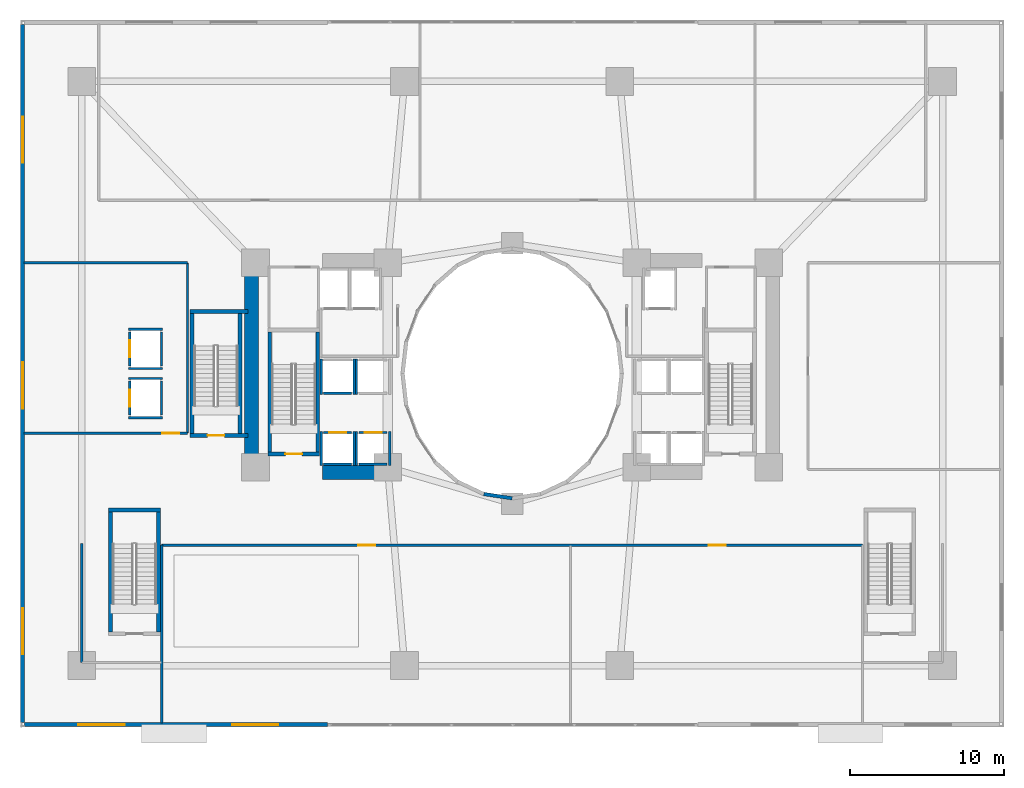
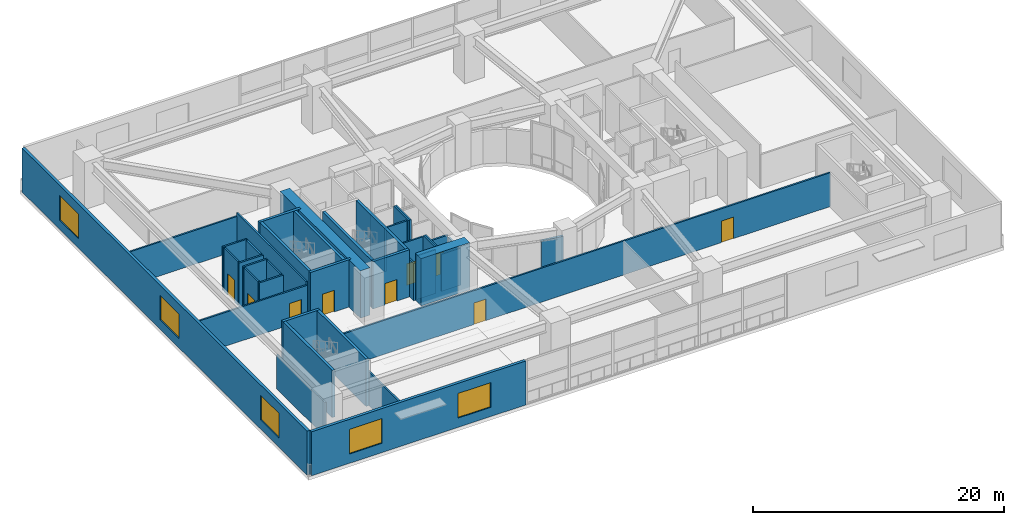
# One storey, part 15 of 25: 41 walls, 9 doors, 5 windows, 14 openings.
"""IFC4 building model written with IfcOpenShell, lengths in metres."""

import ifcopenshell
import ifcopenshell.guid

model = None  # the IFC model being written
_history = None  # IfcOwnerHistory: only IFC2X3 demands one
_inside = {}  # id of a spatial element -> (the spatial element, [elements in it])
_under = {}  # id of a project, library or spatial element -> (it, [spatial elements below it])
_declared = {}  # id of a project -> (the project, [libraries it declares])
_typed = {}  # id of a type object -> (the type object, [elements of that type])
_made_of = {}  # id of a material, layer set ... -> (it, [elements and type objects made of it])


def new_model(schema):
    """Start an empty IFC model of exactly this schema.

    Asked for "IFC4X3", IfcOpenShell would pick the latest addendum, in which some entities
    have other attributes; the version numbers below select the first issue.
    IFC2X3 requires an IfcOwnerHistory on every rooted entity: one is made here for all.
    """
    global model, _history
    if schema == "IFC4X3":
        model = ifcopenshell.file(schema_version=(4, 3, 0, 0))
    else:
        model = ifcopenshell.file(schema=schema)
    _inside.clear()
    _under.clear()
    _declared.clear()
    _typed.clear()
    _made_of.clear()
    _history = None
    if model.schema == "IFC2X3":
        org = make("IfcOrganization", Name="unknown")
        user = make(
            "IfcPersonAndOrganization",
            ThePerson=make("IfcPerson", FamilyName="unknown"),
            TheOrganization=org,
        )
        app = make(
            "IfcApplication",
            ApplicationDeveloper=org,
            Version="unknown",
            ApplicationFullName="unknown",
            ApplicationIdentifier="unknown",
        )
        _history = make(
            "IfcOwnerHistory",
            OwningUser=user,
            OwningApplication=app,
            ChangeAction="ADDED",
            CreationDate=0,
        )
    return model


def make(cls, **values):
    """One entity of the class cls with the attributes given. An attribute that is None is left unset."""
    return model.create_entity(
        cls, **{name: value for name, value in values.items() if value is not None}
    )


def rooted(cls, **values):
    """An entity with a GlobalId (a new one), such as an element, a storey or a relation."""
    return make(cls, GlobalId=ifcopenshell.guid.new(), OwnerHistory=_history, **values)


def si_unit(unit_type, name, prefix=None):
    """IfcSIUnit, for example si_unit("LENGTHUNIT", "METRE", prefix="MILLI")."""
    return make("IfcSIUnit", UnitType=unit_type, Prefix=prefix, Name=name)


def assignment(units):
    """IfcUnitAssignment: the units of a project."""
    return None if units is None else make("IfcUnitAssignment", Units=units)


def point(xyz):
    """IfcCartesianPoint."""
    return None if xyz is None else make("IfcCartesianPoint", Coordinates=xyz)


def direction(xyz):
    """IfcDirection."""
    return None if xyz is None else make("IfcDirection", DirectionRatios=xyz)


def frame(location, z_axis=None, x_axis=None):
    """IfcAxis2Placement3D, a coordinate frame: its origin and axes. An axis left out is left unset."""
    return make(
        "IfcAxis2Placement3D",
        Location=point(location),
        Axis=direction(z_axis),
        RefDirection=direction(x_axis),
    )


def frame_2d(location, x_axis=None):
    """IfcAxis2Placement2D, a coordinate frame in the plane: its origin and x axis."""
    return make(
        "IfcAxis2Placement2D", Location=point(location), RefDirection=direction(x_axis)
    )


def origin():
    """The frame at (0, 0, 0) with its axes left unset."""
    return frame((0.0, 0.0, 0.0))


def place(relative_to, where):
    """IfcLocalPlacement: puts the frame where relative to a parent placement (None: the world)."""
    return make(
        "IfcLocalPlacement", PlacementRelTo=relative_to, RelativePlacement=where
    )


def context(
    kind, dimensions, precision=None, world=None, true_north=None, identifier=None
):
    """IfcGeometricRepresentationContext, for example the 3D "Model" context."""
    return make(
        "IfcGeometricRepresentationContext",
        ContextIdentifier=identifier,
        ContextType=kind,
        CoordinateSpaceDimension=dimensions,
        Precision=precision,
        WorldCoordinateSystem=world,
        TrueNorth=true_north,
    )


def subcontext(parent, identifier, kind, view, scale=None):
    """IfcGeometricRepresentationSubContext, for example "Body" below "Model"."""
    return make(
        "IfcGeometricRepresentationSubContext",
        ContextIdentifier=identifier,
        ContextType=kind,
        ParentContext=parent,
        TargetScale=scale,
        TargetView=view,
    )


def project(units=None, contexts=None):
    """IfcProject with its units and contexts."""
    return rooted(
        "IfcProject",
        Name="project",
        RepresentationContexts=contexts,
        UnitsInContext=assignment(units),
    )


def spatial(cls, under=None, at=None, **own):
    """A site, building, storey or space (cls), placed at a placement, below another one or the project."""
    s = rooted(cls, ObjectPlacement=at, **own)
    if under is not None:
        _under.setdefault(under.id(), (under, []))[1].append(s)
    return s


def profile(cls, at=None, kind="AREA", **sizes):
    """A parametric profile (cls). Its sizes go by their IFC names, for example OverallWidth=200.0."""
    return make(cls, ProfileType=kind, Position=at, **sizes)


def rectangle(**sizes):
    """IfcRectangleProfileDef."""
    return profile("IfcRectangleProfileDef", **sizes)


def extrude(swept, where, along, depth):
    """IfcExtrudedAreaSolid: the profile swept, set in the frame where, extruded along a direction by depth."""
    return make(
        "IfcExtrudedAreaSolid",
        SweptArea=swept,
        Position=where,
        ExtrudedDirection=direction(along),
        Depth=depth,
    )


def shape(context_of_items, identifier, shape_type, items):
    """IfcShapeRepresentation: the items that make up one representation, for example the "Body"."""
    return make(
        "IfcShapeRepresentation",
        ContextOfItems=context_of_items,
        RepresentationIdentifier=identifier,
        RepresentationType=shape_type,
        Items=items,
    )


def material(Name=None, Category=None):
    """IfcMaterial."""
    return make("IfcMaterial", Name=Name, Category=Category)


def layer(
    of_material, thickness, ventilated=None, Name=None, Category=None, Priority=None
):
    """IfcMaterialLayer: one layer of a wall or slab, of a material (None: an air gap)."""
    return make(
        "IfcMaterialLayer",
        Material=of_material,
        LayerThickness=thickness,
        IsVentilated=ventilated,
        Name=Name,
        Category=Category,
        Priority=Priority,
    )


def layer_set(layers, Name=None):
    """IfcMaterialLayerSet."""
    return make("IfcMaterialLayerSet", MaterialLayers=layers, LayerSetName=Name)


def made_of(thing, what):
    """Note that an element or type object is made of a material, layer set ...; save() writes the relation."""
    if what is not None:
        _made_of.setdefault(what.id(), (what, []))[1].append(thing)
    return thing


def type_object(cls, material=None, **own):
    """A type object (cls), such as IfcWallType, which elements share."""
    return made_of(rooted(cls, **own), material)


def element(
    cls,
    number,
    at=None,
    inside=None,
    cuts=None,
    type_object=None,
    material=None,
    context=None,
    identifier="Body",
    shape_type=None,
    held_by="IfcProductDefinitionShape",
    body=None,
    shapes=None,
    **own,
):
    """One element of the class cls, such as IfcWall. Its Tag is "e" and its number.

    at: its placement. inside: the storey or other place that contains it. cuts: it is an
    opening in that element (IfcRelVoidsElement). A single representation is given by context,
    identifier, shape_type and body (its items); several are given by shapes. held_by: the class
    of the entity that holds the representations. save() writes the other relations.
    """
    e = rooted(cls, Tag="e%d" % number, ObjectPlacement=at, **own)
    if body is not None:
        shapes = [shape(context, identifier, shape_type, body)]
    if shapes is not None:
        e.Representation = make(held_by, Representations=shapes)
    if inside is not None:
        _inside.setdefault(inside.id(), (inside, []))[1].append(e)
    if cuts is not None:
        rooted(
            "IfcRelVoidsElement", RelatingBuildingElement=cuts, RelatedOpeningElement=e
        )
    if type_object is not None:
        _typed.setdefault(type_object.id(), (type_object, []))[1].append(e)
    return made_of(e, material)


def fill(opening, filler):
    """IfcRelFillsElement: the door or window that sits in an opening."""
    return rooted(
        "IfcRelFillsElement",
        RelatingOpeningElement=opening,
        RelatedBuildingElement=filler,
    )


def aggregate(whole, parts):
    """IfcRelAggregates: a whole, such as a stair, and the parts it consists of."""
    return rooted("IfcRelAggregates", RelatingObject=whole, RelatedObjects=parts)


def save(model, path):
    """Write the relations noted so far, then the file.

    IfcRelAggregates (storeys below a building ...), IfcRelContainedInSpatialStructure (elements
    in a storey), IfcRelDefinesByType, IfcRelAssociatesMaterial and IfcRelDeclares: one each for
    every whole, place, type object, material and project.
    """
    for whole, parts in _under.values():
        aggregate(whole, parts)
    for where, things in _inside.values():
        rooted(
            "IfcRelContainedInSpatialStructure",
            RelatedElements=things,
            RelatingStructure=where,
        )
    for kind, things in _typed.values():
        rooted("IfcRelDefinesByType", RelatedObjects=things, RelatingType=kind)
    for what, things in _made_of.values():
        rooted("IfcRelAssociatesMaterial", RelatedObjects=things, RelatingMaterial=what)
    for by, libraries in _declared.values():
        rooted("IfcRelDeclares", RelatingContext=by, RelatedDefinitions=libraries)
    model.write(path)


model = new_model("IFC4")

# Units and contexts
model_context = context("Model", 3, precision=1e-05, world=origin(), true_north=direction((0.0, 1.0)))
body_context = subcontext(model_context, "Body", "Model", "MODEL_VIEW")
ifc_project = project(units=[si_unit("LENGTHUNIT", "METRE"), si_unit("AREAUNIT", "SQUARE_METRE"), si_unit("VOLUMEUNIT", "CUBIC_METRE"), si_unit("PLANEANGLEUNIT", "RADIAN"), si_unit("MASSUNIT", "GRAM", prefix="KILO")], contexts=[model_context])

# Site, building, storey
site_placement = place(None, origin())
site = spatial("IfcSite", under=ifc_project, at=site_placement, CompositionType="ELEMENT")
building_placement = place(site_placement, origin())
building = spatial("IfcBuilding", under=site, at=building_placement, Name="Solvane Sanctuary Tower", CompositionType="ELEMENT")
storey_placement = place(building_placement, frame((0.0, 0.0, 4.60009765625)))
storey = spatial("IfcBuildingStorey", under=building, at=storey_placement, Name="L02", CompositionType="ELEMENT", Elevation=4.60009765625)

# Walls
ifc_material_1 = material(Name="Concrete C70/85", Category="concrete")
ifc_layer_1 = layer(ifc_material_1, 0.89990234375, Name="Concrete C70/85")
ifc_layer_set_1 = layer_set([ifc_layer_1], Name="Concrete C70/85")
wall_type_1 = type_object("IfcWallType", Name="Wall W-CORE-900", PredefinedType="SHEAR", material=ifc_layer_set_1)
wall_1_placement = place(storey_placement, frame((15.050048828125, 17.050048828125, 0.0), z_axis=(0.0, 0.0, 1.0), x_axis=(0.0, 1.0, 0.0)))
element("IfcWall", 1, at=wall_1_placement, inside=storey, type_object=wall_type_1, Name="L02 Core Shear Wall WC-W", PredefinedType="SHEAR", context=body_context, shape_type="SweptSolid", body=[
    extrude(rectangle(XDim=12.800048828125, YDim=0.89990234375, at=frame_2d((6.39990234375, 0.0))), origin(), (0.0, 0.0, 1.0), 4.599853515625),
])
wall_2_placement = place(storey_placement, frame((19.64990234375, 16.550048828125, 0.0), z_axis=(0.0, 0.0, 1.0), x_axis=(1.0, 0.0, 0.0)))
element("IfcWall", 2, at=wall_2_placement, inside=storey, type_object=wall_type_1, Name="L02 Core Shear Wall WC-S", PredefinedType="SHEAR", context=body_context, shape_type="SweptSolid", body=[
    extrude(rectangle(XDim=4.5, YDim=0.89990234375, at=frame_2d((2.25, 0.0))), origin(), (0.0, 0.0, 1.0), 4.599853515625),
])

# Wall, openings, doors
ifc_material_2 = material(Name="Acoustic Gypsum Partition Board")
ifc_layer_2 = layer(ifc_material_2, 0.14990234375, Name="Acoustic Gypsum Partition Board")
ifc_layer_set_2 = layer_set([ifc_layer_2], Name="Acoustic Gypsum Partition Board")
wall_type_2 = type_object("IfcWallType", Name="Wall W-CORR-150", PredefinedType="PARTITIONING", material=ifc_layer_set_2)
wall_3_placement = place(storey_placement, frame((9.199951171875, 11.830078125, 0.0), z_axis=(0.0, 0.0, 1.0), x_axis=(1.0, 0.0, 0.0)))
wall_3 = element("IfcWall", 3, at=wall_3_placement, inside=storey, type_object=wall_type_2, Name="L02 South Sanctuary Corridor Wall", PredefinedType="PARTITIONING", context=body_context, shape_type="SweptSolid", body=[
    extrude(rectangle(XDim=45.60009765625, YDim=0.14990234375, at=frame_2d((22.800048828125, 0.0))), origin(), (0.0, 0.0, 1.0), 3.2998046875),
])
opening_1_placement = place(wall_3_placement, frame((12.800048828125, 0.0, 0.0)))
opening_1 = element("IfcOpeningElement", 4, at=opening_1_placement, cuts=wall_3, Name="Opening D-L02-08", PredefinedType="OPENING", context=body_context, shape_type="SweptSolid", body=[
    extrude(rectangle(XDim=1.10009765625, YDim=2.10009765625, at=frame_2d((0.550048828125, 1.050048828125))), frame((0.0, 0.0849609375, 0.0), z_axis=(0.0, -1.0, 0.0), x_axis=(1.0, 0.0, 0.0)), (0.0, 0.0, 1.0), 0.169921875),
])
opening_2_placement = place(wall_3_placement, frame((35.60009765625, 0.0, 0.0)))
opening_2 = element("IfcOpeningElement", 5, at=opening_2_placement, cuts=wall_3, Name="Opening D-L02-09", PredefinedType="OPENING", context=body_context, shape_type="SweptSolid", body=[
    extrude(rectangle(XDim=1.10009765625, YDim=2.10009765625, at=frame_2d((0.550048828125, 1.050048828125))), frame((0.0, 0.0849609375, 0.0), z_axis=(0.0, -1.0, 0.0), x_axis=(1.0, 0.0, 0.0)), (0.0, 0.0, 1.0), 0.169921875),
])
ifc_material_3 = material(Name="Architectural Stainless Steel 316", Category="steel")
door_type_1 = type_object("IfcDoorType", Name="Door D-FFL", OperationType="NOTDEFINED", PredefinedType="DOOR", material=ifc_material_3)
door_1_placement = place(opening_1_placement, origin())
door_1 = element("IfcDoor", 6, at=door_1_placement, inside=storey, type_object=door_type_1, Name="L02 PRAY-M Hall Door", OperationType="SINGLE_SWING_LEFT", OverallHeight=2.10009765625, OverallWidth=1.10009765625, PredefinedType="DOOR", context=body_context, shape_type="SweptSolid", body=[
    extrude(rectangle(XDim=1.10009765625, YDim=2.10009765625, at=frame_2d((0.550048828125, 1.050048828125))), frame((0.0, 0.02490234375, 0.0), z_axis=(0.0, -1.0, 0.0), x_axis=(1.0, 0.0, 0.0)), (0.0, 0.0, 1.0), 0.050048828125),
])
fill(opening_1, door_1)
door_2_placement = place(opening_2_placement, origin())
door_2 = element("IfcDoor", 7, at=door_2_placement, inside=storey, type_object=door_type_1, Name="L02 QUIET Hall Door", OperationType="SINGLE_SWING_RIGHT", OverallHeight=2.10009765625, OverallWidth=1.10009765625, PredefinedType="DOOR", context=body_context, shape_type="SweptSolid", body=[
    extrude(rectangle(XDim=1.10009765625, YDim=2.10009765625, at=frame_2d((0.550048828125, 1.050048828125))), frame((0.0, 0.02490234375, 0.0), z_axis=(0.0, -1.0, 0.0), x_axis=(1.0, 0.0, 0.0)), (0.0, 0.0, 1.0), 0.050048828125),
])
fill(opening_2, door_2)

# Walls
wall_4_placement = place(storey_placement, frame((9.199951171875, 0.25, 0.0), z_axis=(0.0, 0.0, 1.0), x_axis=(0.0, 1.0, 0.0)))
element("IfcWall", 8, at=wall_4_placement, inside=storey, type_object=wall_type_2, Name="L02 West Hall End Wall", PredefinedType="PARTITIONING", context=body_context, shape_type="SweptSolid", body=[
    extrude(rectangle(XDim=11.580078125, YDim=0.14990234375, at=frame_2d((5.7900390625, 0.0))), origin(), (0.0, 0.0, 1.0), 3.2998046875),
])
wall_5_placement = place(storey_placement, frame((4.0, 4.199951171875, 0.0), z_axis=(0.0, 0.0, 1.0), x_axis=(0.0, 1.0, 0.0)))
element("IfcWall", 9, at=wall_5_placement, inside=storey, type_object=wall_type_2, Name="L02 ST-4 Link West Wall", PredefinedType="PARTITIONING", context=body_context, shape_type="SweptSolid", body=[
    extrude(rectangle(XDim=7.75, YDim=0.14990234375, at=frame_2d((3.875, 0.0))), origin(), (0.0, 0.0, 1.0), 3.2998046875),
])

# Wall, opening, door
wall_6_placement = place(storey_placement, frame((0.25, 19.1201171875, 0.0), z_axis=(0.0, 0.0, 1.0), x_axis=(1.0, 0.0, 0.0)))
wall_6 = element("IfcWall", 10, at=wall_6_placement, inside=storey, type_object=wall_type_2, Name="L02 West Cloister South Wall", PredefinedType="PARTITIONING", context=body_context, shape_type="SweptSolid", body=[
    extrude(rectangle(XDim=10.6298828125, YDim=0.14990234375, at=frame_2d((5.31494140625, 0.0))), origin(), (0.0, 0.0, 1.0), 3.2998046875),
])
opening_3_placement = place(wall_6_placement, frame((8.9931640625, 0.0, 0.0)))
opening_3 = element("IfcOpeningElement", 11, at=opening_3_placement, cuts=wall_6, Name="Opening D-L02-14", PredefinedType="OPENING", context=body_context, shape_type="SweptSolid", body=[
    extrude(rectangle(XDim=1.10009765625, YDim=2.10009765625, at=frame_2d((0.550048828125, 1.050048828125))), frame((0.0, 0.0849609375, 0.0), z_axis=(0.0, -1.0, 0.0), x_axis=(1.0, 0.0, 0.0)), (0.0, 0.0, 1.0), 0.169921875),
])
door_3_placement = place(opening_3_placement, origin())
door_3 = element("IfcDoor", 12, at=door_3_placement, inside=storey, type_object=door_type_1, Name="L02 West Cloister Door", OperationType="SINGLE_SWING_LEFT", OverallHeight=2.10009765625, OverallWidth=1.10009765625, PredefinedType="DOOR", context=body_context, shape_type="SweptSolid", body=[
    extrude(rectangle(XDim=1.10009765625, YDim=2.10009765625, at=frame_2d((0.550048828125, 1.050048828125))), frame((0.0, 0.02490234375, 0.0), z_axis=(0.0, -1.0, 0.0), x_axis=(1.0, 0.0, 0.0)), (0.0, 0.0, 1.0), 0.050048828125),
])
fill(opening_3, door_3)

# Walls
wall_7_placement = place(storey_placement, frame((10.8798828125, 19.1201171875, 0.0), z_axis=(0.0, 0.0, 1.0), x_axis=(0.0, 1.0, 0.0)))
element("IfcWall", 13, at=wall_7_placement, inside=storey, type_object=wall_type_2, Name="L02 West Cloister East Wall", PredefinedType="PARTITIONING", context=body_context, shape_type="SweptSolid", body=[
    extrude(rectangle(XDim=11.079833984375, YDim=0.14990234375, at=frame_2d((5.5400390625, 0.0))), origin(), (0.0, 0.0, 1.0), 3.619873046875),
])
wall_8_placement = place(storey_placement, frame((0.25, 30.199951171875, 0.0), z_axis=(0.0, 0.0, 1.0), x_axis=(1.0, 0.0, 0.0)))
element("IfcWall", 14, at=wall_8_placement, inside=storey, type_object=wall_type_2, Name="L02 West Cloister North Wall", PredefinedType="PARTITIONING", context=body_context, shape_type="SweptSolid", body=[
    extrude(rectangle(XDim=10.6298828125, YDim=0.14990234375, at=frame_2d((5.31494140625, 0.0))), origin(), (0.0, 0.0, 1.0), 3.2998046875),
])

# Wall, openings, windows
ifc_material_4 = material(Name="Precast concrete C40/50", Category="concrete")
ifc_layer_3 = layer(ifc_material_4, 0.260009765625, Name="Precast concrete C40/50")
ifc_layer_set_3 = layer_set([ifc_layer_3], Name="Precast concrete C40/50")
wall_type_3 = type_object("IfcWallType", Name="Wall W-EXT-250", PredefinedType="STANDARD", material=ifc_layer_set_3)
wall_9_placement = place(storey_placement, frame((0.280029296875, 0.14990234375, 0.0), z_axis=(0.0, 0.0, 1.0), x_axis=(1.0, 0.0, 0.0)))
wall_9 = element("IfcWall", 15, at=wall_9_placement, inside=storey, type_object=wall_type_3, Name="L02 Podium Facade Wall S1", PredefinedType="STANDARD", context=body_context, shape_type="SweptSolid", body=[
    extrude(rectangle(XDim=19.719970703125, YDim=0.260009765625, at=frame_2d((9.85986328125, 0.0))), origin(), (0.0, 0.0, 1.0), 4.27978515625),
])
opening_4_placement = place(wall_9_placement, frame((3.5, 0.0, 0.89990234375)))
opening_4 = element("IfcOpeningElement", 16, at=opening_4_placement, cuts=wall_9, Name="Opening WN-POD-3000", PredefinedType="OPENING", context=body_context, shape_type="SweptSolid", body=[
    extrude(rectangle(XDim=3.0, YDim=2.39990234375, at=frame_2d((1.5, 1.199951171875))), frame((0.0, 0.139892578125, 0.0), z_axis=(0.0, -1.0, 0.0), x_axis=(1.0, 0.0, 0.0)), (0.0, 0.0, 1.0), 0.280029296875),
])
opening_5_placement = place(wall_9_placement, frame((13.5, 0.0, 0.89990234375)))
opening_5 = element("IfcOpeningElement", 17, at=opening_5_placement, cuts=wall_9, Name="Opening WN-POD-3000", PredefinedType="OPENING", context=body_context, shape_type="SweptSolid", body=[
    extrude(rectangle(XDim=3.0, YDim=2.39990234375, at=frame_2d((1.5, 1.199951171875))), frame((0.0, 0.139892578125, 0.0), z_axis=(0.0, -1.0, 0.0), x_axis=(1.0, 0.0, 0.0)), (0.0, 0.0, 1.0), 0.280029296875),
])
ifc_material_5 = material(Name="Dark Ceramic-Fritted Low-E Glass", Category="glass")
window_type = type_object("IfcWindowType", Name="Window WN-POD-3000", PartitioningType="SINGLE_PANEL", PredefinedType="WINDOW", material=ifc_material_5)
window_1_placement = place(opening_4_placement, origin())
window_1 = element("IfcWindow", 18, at=window_1_placement, inside=storey, type_object=window_type, Name="L02 Podium Window S1-3", OverallHeight=2.39990234375, OverallWidth=3.0, PartitioningType="SINGLE_PANEL", PredefinedType="WINDOW", context=body_context, shape_type="SweptSolid", body=[
    extrude(rectangle(XDim=3.0, YDim=2.39990234375, at=frame_2d((1.5, 1.199951171875))), frame((0.0, 0.030029296875, 0.0), z_axis=(0.0, -1.0, 0.0), x_axis=(1.0, 0.0, 0.0)), (0.0, 0.0, 1.0), 0.06005859375),
])
fill(opening_4, window_1)
window_2_placement = place(opening_5_placement, origin())
window_2 = element("IfcWindow", 19, at=window_2_placement, inside=storey, type_object=window_type, Name="L02 Podium Window S1-13", OverallHeight=2.39990234375, OverallWidth=3.0, PartitioningType="SINGLE_PANEL", PredefinedType="WINDOW", context=body_context, shape_type="SweptSolid", body=[
    extrude(rectangle(XDim=3.0, YDim=2.39990234375, at=frame_2d((1.5, 1.199951171875))), frame((0.0, 0.030029296875, 0.0), z_axis=(0.0, -1.0, 0.0), x_axis=(1.0, 0.0, 0.0)), (0.0, 0.0, 1.0), 0.06005859375),
])
fill(opening_5, window_2)

wall_10_placement = place(storey_placement, frame((0.14990234375, 45.719970703125, 0.0), z_axis=(0.0, 0.0, 1.0), x_axis=(0.0, -1.0, 0.0)))
wall_10 = element("IfcWall", 20, at=wall_10_placement, inside=storey, type_object=wall_type_3, Name="L02 Podium Facade Wall W1", PredefinedType="STANDARD", context=body_context, shape_type="SweptSolid", body=[
    extrude(rectangle(XDim=45.43994140625, YDim=0.260009765625, at=frame_2d((22.719970703125, 0.0))), origin(), (0.0, 0.0, 1.0), 4.27978515625),
])
opening_6_placement = place(wall_10_placement, frame((6.0, 0.0, 0.89990234375)))
opening_6 = element("IfcOpeningElement", 21, at=opening_6_placement, cuts=wall_10, Name="Opening WN-POD-3000", PredefinedType="OPENING", context=body_context, shape_type="SweptSolid", body=[
    extrude(rectangle(XDim=3.0, YDim=2.39990234375, at=frame_2d((1.5, 1.199951171875))), frame((0.0, 0.139892578125, 0.0), z_axis=(0.0, -1.0, 0.0), x_axis=(1.0, 0.0, 0.0)), (0.0, 0.0, 1.0), 0.280029296875),
])
opening_7_placement = place(wall_10_placement, frame((22.0, 0.0, 0.89990234375)))
opening_7 = element("IfcOpeningElement", 22, at=opening_7_placement, cuts=wall_10, Name="Opening WN-POD-3000", PredefinedType="OPENING", context=body_context, shape_type="SweptSolid", body=[
    extrude(rectangle(XDim=3.0, YDim=2.39990234375, at=frame_2d((1.5, 1.199951171875))), frame((0.0, 0.139892578125, 0.0), z_axis=(0.0, -1.0, 0.0), x_axis=(1.0, 0.0, 0.0)), (0.0, 0.0, 1.0), 0.280029296875),
])
opening_8_placement = place(wall_10_placement, frame((38.0, 0.0, 0.89990234375)))
opening_8 = element("IfcOpeningElement", 23, at=opening_8_placement, cuts=wall_10, Name="Opening WN-POD-3000", PredefinedType="OPENING", context=body_context, shape_type="SweptSolid", body=[
    extrude(rectangle(XDim=3.0, YDim=2.39990234375, at=frame_2d((1.5, 1.199951171875))), frame((0.0, 0.139892578125, 0.0), z_axis=(0.0, -1.0, 0.0), x_axis=(1.0, 0.0, 0.0)), (0.0, 0.0, 1.0), 0.280029296875),
])
window_3_placement = place(opening_6_placement, origin())
window_3 = element("IfcWindow", 24, at=window_3_placement, inside=storey, type_object=window_type, Name="L02 Podium Window W1-6", OverallHeight=2.39990234375, OverallWidth=3.0, PartitioningType="SINGLE_PANEL", PredefinedType="WINDOW", context=body_context, shape_type="SweptSolid", body=[
    extrude(rectangle(XDim=3.0, YDim=2.39990234375, at=frame_2d((1.5, 1.199951171875))), frame((0.0, 0.030029296875, 0.0), z_axis=(0.0, -1.0, 0.0), x_axis=(1.0, 0.0, 0.0)), (0.0, 0.0, 1.0), 0.06005859375),
])
fill(opening_6, window_3)
window_4_placement = place(opening_7_placement, origin())
window_4 = element("IfcWindow", 25, at=window_4_placement, inside=storey, type_object=window_type, Name="L02 Podium Window W1-22", OverallHeight=2.39990234375, OverallWidth=3.0, PartitioningType="SINGLE_PANEL", PredefinedType="WINDOW", context=body_context, shape_type="SweptSolid", body=[
    extrude(rectangle(XDim=3.0, YDim=2.39990234375, at=frame_2d((1.5, 1.199951171875))), frame((0.0, 0.030029296875, 0.0), z_axis=(0.0, -1.0, 0.0), x_axis=(1.0, 0.0, 0.0)), (0.0, 0.0, 1.0), 0.06005859375),
])
fill(opening_7, window_4)
window_5_placement = place(opening_8_placement, origin())
window_5 = element("IfcWindow", 26, at=window_5_placement, inside=storey, type_object=window_type, Name="L02 Podium Window W1-38", OverallHeight=2.39990234375, OverallWidth=3.0, PartitioningType="SINGLE_PANEL", PredefinedType="WINDOW", context=body_context, shape_type="SweptSolid", body=[
    extrude(rectangle(XDim=3.0, YDim=2.39990234375, at=frame_2d((1.5, 1.199951171875))), frame((0.0, 0.030029296875, 0.0), z_axis=(0.0, -1.0, 0.0), x_axis=(1.0, 0.0, 0.0)), (0.0, 0.0, 1.0), 0.06005859375),
])
fill(opening_8, window_5)

# Wall
ifc_layer_4 = layer(ifc_material_4, 0.22998046875, Name="Precast concrete C40/50")
ifc_layer_set_4 = layer_set([ifc_layer_4], Name="Precast concrete C40/50")
wall_type_4 = type_object("IfcWallType", Name="Wall W-EXT-SP220", PredefinedType="STANDARD", material=ifc_layer_set_4)
wall_11_placement = place(storey_placement, frame((30.1572265625, 15.15673828125, 0.0), z_axis=(0.0, 0.0, 1.0), x_axis=(0.988901730308, -0.148571086668, 0.0)))
element("IfcWall", 27, at=wall_11_placement, inside=storey, type_object=wall_type_4, Name="L02 Light-Well Enclosure Wall 17", PredefinedType="STANDARD", context=body_context, shape_type="SweptSolid", body=[
    extrude(rectangle(XDim=1.863525390625, YDim=0.22998046875, at=frame_2d((0.931640625, 0.0))), origin(), (0.0, 0.0, 1.0), 3.27978515625),
])

# Wall, opening, door
ifc_material_6 = material(Name="Concrete C50/60", Category="concrete")
ifc_layer_5 = layer(ifc_material_6, 0.14990234375, Name="Concrete C50/60")
ifc_layer_set_5 = layer_set([ifc_layer_5], Name="Concrete C50/60")
wall_type_5 = type_object("IfcWallType", Name="Wall W-SHAFT-150", PredefinedType="SOLIDWALL", material=ifc_layer_set_5)
wall_12_placement = place(storey_placement, frame((19.739990234375, 19.159912109375, 0.0), z_axis=(0.0, 0.0, 1.0), x_axis=(1.0, 0.0, 0.0)))
wall_12 = element("IfcWall", 28, at=wall_12_placement, inside=storey, type_object=wall_type_5, Name="L02 PL-1 Lift Shaft Wall F", PredefinedType="SOLIDWALL", context=body_context, shape_type="SweptSolid", body=[
    extrude(rectangle(XDim=1.820068359375, YDim=0.14990234375, at=frame_2d((0.91015625, 0.0))), origin(), (0.0, 0.0, 1.0), 4.2548828125),
])
opening_9_placement = place(wall_12_placement, frame((0.360107421875, 0.0, 0.0)))
opening_9 = element("IfcOpeningElement", 29, at=opening_9_placement, cuts=wall_12, Name="Opening LD-L02-01", PredefinedType="OPENING", context=body_context, shape_type="SweptSolid", body=[
    extrude(rectangle(XDim=1.10009765625, YDim=2.10009765625, at=frame_2d((0.550048828125, 1.050048828125))), frame((0.0, 0.0849609375, 0.0), z_axis=(0.0, -1.0, 0.0), x_axis=(1.0, 0.0, 0.0)), (0.0, 0.0, 1.0), 0.169921875),
])
door_type_2 = type_object("IfcDoorType", Name="Door LD-PASS-1100", OperationType="NOTDEFINED", PredefinedType="DOOR", material=ifc_material_3)
door_4_placement = place(opening_9_placement, origin())
door_4 = element("IfcDoor", 30, at=door_4_placement, inside=storey, type_object=door_type_2, Name="L02 PL-1 Lift Landing Door", OperationType="DOUBLE_DOOR_SLIDING", OverallHeight=2.10009765625, OverallWidth=1.10009765625, PredefinedType="DOOR", context=body_context, shape_type="SweptSolid", body=[
    extrude(rectangle(XDim=1.10009765625, YDim=2.10009765625, at=frame_2d((0.550048828125, 1.050048828125))), frame((0.0, 0.02490234375, 0.0), z_axis=(0.0, -1.0, 0.0), x_axis=(1.0, 0.0, 0.0)), (0.0, 0.0, 1.0), 0.050048828125),
])
fill(opening_9, door_4)

# Walls
wall_13_placement = place(storey_placement, frame((19.739990234375, 17.10009765625, 0.0), z_axis=(0.0, 0.0, 1.0), x_axis=(1.0, 0.0, 0.0)))
element("IfcWall", 31, at=wall_13_placement, inside=storey, type_object=wall_type_5, Name="L02 PL-1 Lift Shaft Wall B", PredefinedType="SOLIDWALL", context=body_context, shape_type="SweptSolid", body=[
    extrude(rectangle(XDim=1.820068359375, YDim=0.14990234375, at=frame_2d((0.91015625, 0.0))), origin(), (0.0, 0.0, 1.0), 4.2548828125),
])
wall_14_placement = place(storey_placement, frame((19.570068359375, 17.02001953125, 0.0), z_axis=(0.0, 0.0, 1.0), x_axis=(0.0, 1.0, 0.0)))
element("IfcWall", 32, at=wall_14_placement, inside=storey, type_object=wall_type_5, Name="L02 PL-1 Lift Shaft Wall S1", PredefinedType="SOLIDWALL", context=body_context, shape_type="SweptSolid", body=[
    extrude(rectangle(XDim=2.219970703125, YDim=0.14990234375, at=frame_2d((1.10986328125, 0.0))), origin(), (0.0, 0.0, 1.0), 3.619873046875),
])
wall_15_placement = place(storey_placement, frame((21.72998046875, 17.02001953125, 0.0), z_axis=(0.0, 0.0, 1.0), x_axis=(0.0, 1.0, 0.0)))
element("IfcWall", 33, at=wall_15_placement, inside=storey, type_object=wall_type_5, Name="L02 PL-1 Lift Shaft Wall S2", PredefinedType="SOLIDWALL", context=body_context, shape_type="SweptSolid", body=[
    extrude(rectangle(XDim=2.219970703125, YDim=0.14990234375, at=frame_2d((1.10986328125, 0.0))), origin(), (0.0, 0.0, 1.0), 4.2548828125),
])

# Wall, opening, door
wall_16_placement = place(storey_placement, frame((22.0400390625, 19.159912109375, 0.0), z_axis=(0.0, 0.0, 1.0), x_axis=(1.0, 0.0, 0.0)))
wall_16 = element("IfcWall", 34, at=wall_16_placement, inside=storey, type_object=wall_type_5, Name="L02 PL-2 Lift Shaft Wall F", PredefinedType="SOLIDWALL", context=body_context, shape_type="SweptSolid", body=[
    extrude(rectangle(XDim=1.820068359375, YDim=0.14990234375, at=frame_2d((0.91015625, 0.0))), origin(), (0.0, 0.0, 1.0), 3.619873046875),
])
opening_10_placement = place(wall_16_placement, frame((0.360107421875, 0.0, 0.0)))
opening_10 = element("IfcOpeningElement", 35, at=opening_10_placement, cuts=wall_16, Name="Opening LD-L02-02", PredefinedType="OPENING", context=body_context, shape_type="SweptSolid", body=[
    extrude(rectangle(XDim=1.10009765625, YDim=2.10009765625, at=frame_2d((0.550048828125, 1.050048828125))), frame((0.0, 0.0849609375, 0.0), z_axis=(0.0, -1.0, 0.0), x_axis=(1.0, 0.0, 0.0)), (0.0, 0.0, 1.0), 0.169921875),
])
door_5_placement = place(opening_10_placement, origin())
door_5 = element("IfcDoor", 36, at=door_5_placement, inside=storey, type_object=door_type_2, Name="L02 PL-2 Lift Landing Door", OperationType="DOUBLE_DOOR_SLIDING", OverallHeight=2.10009765625, OverallWidth=1.10009765625, PredefinedType="DOOR", context=body_context, shape_type="SweptSolid", body=[
    extrude(rectangle(XDim=1.10009765625, YDim=2.10009765625, at=frame_2d((0.550048828125, 1.050048828125))), frame((0.0, 0.02490234375, 0.0), z_axis=(0.0, -1.0, 0.0), x_axis=(1.0, 0.0, 0.0)), (0.0, 0.0, 1.0), 0.050048828125),
])
fill(opening_10, door_5)

# Walls
wall_17_placement = place(storey_placement, frame((22.0400390625, 17.10009765625, 0.0), z_axis=(0.0, 0.0, 1.0), x_axis=(1.0, 0.0, 0.0)))
element("IfcWall", 37, at=wall_17_placement, inside=storey, type_object=wall_type_5, Name="L02 PL-2 Lift Shaft Wall B", PredefinedType="SOLIDWALL", context=body_context, shape_type="SweptSolid", body=[
    extrude(rectangle(XDim=1.820068359375, YDim=0.14990234375, at=frame_2d((0.91015625, 0.0))), origin(), (0.0, 0.0, 1.0), 3.619873046875),
])
wall_18_placement = place(storey_placement, frame((21.8701171875, 17.02001953125, 0.0), z_axis=(0.0, 0.0, 1.0), x_axis=(0.0, 1.0, 0.0)))
element("IfcWall", 38, at=wall_18_placement, inside=storey, type_object=wall_type_5, Name="L02 PL-2 Lift Shaft Wall S1", PredefinedType="SOLIDWALL", context=body_context, shape_type="SweptSolid", body=[
    extrude(rectangle(XDim=2.219970703125, YDim=0.14990234375, at=frame_2d((1.10986328125, 0.0))), origin(), (0.0, 0.0, 1.0), 4.2548828125),
])
wall_19_placement = place(storey_placement, frame((24.030029296875, 17.02001953125, 0.0), z_axis=(0.0, 0.0, 1.0), x_axis=(0.0, 1.0, 0.0)))
element("IfcWall", 39, at=wall_19_placement, inside=storey, type_object=wall_type_5, Name="L02 PL-2 Lift Shaft Wall S2", PredefinedType="SOLIDWALL", context=body_context, shape_type="SweptSolid", body=[
    extrude(rectangle(XDim=2.219970703125, YDim=0.14990234375, at=frame_2d((1.10986328125, 0.0))), origin(), (0.0, 0.0, 1.0), 3.2998046875),
])
wall_20_placement = place(storey_placement, frame((19.739990234375, 21.719970703125, 0.0), z_axis=(0.0, 0.0, 1.0), x_axis=(1.0, 0.0, 0.0)))
element("IfcWall", 40, at=wall_20_placement, inside=storey, type_object=wall_type_5, Name="L02 PM-1 Lift Shaft Wall F", PredefinedType="SOLIDWALL", context=body_context, shape_type="SweptSolid", body=[
    extrude(rectangle(XDim=1.820068359375, YDim=0.14990234375, at=frame_2d((0.91015625, 0.0))), origin(), (0.0, 0.0, 1.0), 4.2548828125),
])
for number, where, z_axis, x_axis, name in (
    (41, (19.570068359375, 21.639892578125, 0.0), (0.0, 0.0, 1.0), (0.0, 1.0, 0.0), "L02 PM-1 Lift Shaft Wall S1"),
    (42, (21.72998046875, 21.639892578125, 0.0), (0.0, 0.0, 1.0), (0.0, 1.0, 0.0), "L02 PM-1 Lift Shaft Wall S2"),
    (43, (21.8701171875, 21.639892578125, 0.0), (0.0, 0.0, 1.0), (0.0, 1.0, 0.0), "L02 PH-1 Lift Shaft Wall S1"),
):
    element("IfcWall", number, at=place(storey_placement, frame(where, z_axis=z_axis, x_axis=x_axis)), inside=storey, type_object=wall_type_5, Name=name, PredefinedType="SOLIDWALL", context=body_context, shape_type="SweptSolid", body=[
        extrude(rectangle(XDim=2.320068359375, YDim=0.14990234375, at=frame_2d((1.16015625, 0.0))), origin(), (0.0, 0.0, 1.0), 4.2548828125),
    ])

# Wall, opening, door
wall_21_placement = place(storey_placement, frame((7.1201171875, 20.2900390625, 0.0), z_axis=(0.0, 0.0, 1.0), x_axis=(0.0, 1.0, 0.0)))
wall_21 = element("IfcWall", 44, at=wall_21_placement, inside=storey, type_object=wall_type_5, Name="L02 ML-1 Lift Shaft Wall F", PredefinedType="SOLIDWALL", context=body_context, shape_type="SweptSolid", body=[
    extrude(rectangle(XDim=2.219970703125, YDim=0.14990234375, at=frame_2d((1.10986328125, 0.0))), origin(), (0.0, 0.0, 1.0), 4.2548828125),
])
opening_11_placement = place(wall_21_placement, frame((0.56005859375, 0.0, 0.0)))
opening_11 = element("IfcOpeningElement", 45, at=opening_11_placement, cuts=wall_21, Name="Opening LD-L02-08", PredefinedType="OPENING", context=body_context, shape_type="SweptSolid", body=[
    extrude(rectangle(XDim=1.10009765625, YDim=2.10009765625, at=frame_2d((0.550048828125, 1.050048828125))), frame((0.0, 0.0849609375, 0.0), z_axis=(0.0, -1.0, 0.0), x_axis=(1.0, 0.0, 0.0)), (0.0, 0.0, 1.0), 0.169921875),
])
door_6_placement = place(opening_11_placement, origin())
door_6 = element("IfcDoor", 46, at=door_6_placement, inside=storey, type_object=door_type_2, Name="L02 ML-1 Lift Landing Door", OperationType="DOUBLE_DOOR_SLIDING", OverallHeight=2.10009765625, OverallWidth=1.10009765625, PredefinedType="DOOR", context=body_context, shape_type="SweptSolid", body=[
    extrude(rectangle(XDim=1.10009765625, YDim=2.10009765625, at=frame_2d((0.550048828125, 1.050048828125))), frame((0.0, 0.02490234375, 0.0), z_axis=(0.0, -1.0, 0.0), x_axis=(1.0, 0.0, 0.0)), (0.0, 0.0, 1.0), 0.050048828125),
])
fill(opening_11, door_6)

# Walls
for number, where, z_axis, x_axis, name in (
    (47, (9.179931640625, 20.2900390625, 0.0), (0.0, 0.0, 1.0), (0.0, 1.0, 0.0), "L02 ML-1 Lift Shaft Wall B"),
    (48, (7.0400390625, 20.1201171875, 0.0), (0.0, 0.0, 1.0), (1.0, 0.0, 0.0), "L02 ML-1 Lift Shaft Wall S1"),
    (49, (7.0400390625, 22.679931640625, 0.0), (0.0, 0.0, 1.0), (1.0, 0.0, 0.0), "L02 ML-1 Lift Shaft Wall S2"),
):
    element("IfcWall", number, at=place(storey_placement, frame(where, z_axis=z_axis, x_axis=x_axis)), inside=storey, type_object=wall_type_5, Name=name, PredefinedType="SOLIDWALL", context=body_context, shape_type="SweptSolid", body=[
        extrude(rectangle(XDim=2.219970703125, YDim=0.14990234375, at=frame_2d((1.10986328125, 0.0))), origin(), (0.0, 0.0, 1.0), 4.2548828125),
    ])

# Wall, opening, door
wall_22_placement = place(storey_placement, frame((7.1201171875, 23.489990234375, 0.0), z_axis=(0.0, 0.0, 1.0), x_axis=(0.0, 1.0, 0.0)))
wall_22 = element("IfcWall", 50, at=wall_22_placement, inside=storey, type_object=wall_type_5, Name="L02 ML-2 Lift Shaft Wall F", PredefinedType="SOLIDWALL", context=body_context, shape_type="SweptSolid", body=[
    extrude(rectangle(XDim=2.219970703125, YDim=0.14990234375, at=frame_2d((1.10986328125, 0.0))), origin(), (0.0, 0.0, 1.0), 4.2548828125),
])
opening_12_placement = place(wall_22_placement, frame((0.56005859375, 0.0, 0.0)))
opening_12 = element("IfcOpeningElement", 51, at=opening_12_placement, cuts=wall_22, Name="Opening LD-L02-09", PredefinedType="OPENING", context=body_context, shape_type="SweptSolid", body=[
    extrude(rectangle(XDim=1.10009765625, YDim=2.10009765625, at=frame_2d((0.550048828125, 1.050048828125))), frame((0.0, 0.0849609375, 0.0), z_axis=(0.0, -1.0, 0.0), x_axis=(1.0, 0.0, 0.0)), (0.0, 0.0, 1.0), 0.169921875),
])
door_7_placement = place(opening_12_placement, origin())
door_7 = element("IfcDoor", 52, at=door_7_placement, inside=storey, type_object=door_type_2, Name="L02 ML-2 Lift Landing Door", OperationType="DOUBLE_DOOR_SLIDING", OverallHeight=2.10009765625, OverallWidth=1.10009765625, PredefinedType="DOOR", context=body_context, shape_type="SweptSolid", body=[
    extrude(rectangle(XDim=1.10009765625, YDim=2.10009765625, at=frame_2d((0.550048828125, 1.050048828125))), frame((0.0, 0.02490234375, 0.0), z_axis=(0.0, -1.0, 0.0), x_axis=(1.0, 0.0, 0.0)), (0.0, 0.0, 1.0), 0.050048828125),
])
fill(opening_12, door_7)

# Walls
for number, where, z_axis, x_axis, name in (
    (53, (9.179931640625, 23.489990234375, 0.0), (0.0, 0.0, 1.0), (0.0, 1.0, 0.0), "L02 ML-2 Lift Shaft Wall B"),
    (54, (7.0400390625, 23.320068359375, 0.0), (0.0, 0.0, 1.0), (1.0, 0.0, 0.0), "L02 ML-2 Lift Shaft Wall S1"),
    (55, (7.0400390625, 25.8798828125, 0.0), (0.0, 0.0, 1.0), (1.0, 0.0, 0.0), "L02 ML-2 Lift Shaft Wall S2"),
):
    element("IfcWall", number, at=place(storey_placement, frame(where, z_axis=z_axis, x_axis=x_axis)), inside=storey, type_object=wall_type_5, Name=name, PredefinedType="SOLIDWALL", context=body_context, shape_type="SweptSolid", body=[
        extrude(rectangle(XDim=2.219970703125, YDim=0.14990234375, at=frame_2d((1.10986328125, 0.0))), origin(), (0.0, 0.0, 1.0), 4.2548828125),
    ])

# Wall, opening, door
ifc_layer_6 = layer(ifc_material_6, 0.25, Name="Concrete C50/60")
ifc_layer_set_6 = layer_set([ifc_layer_6], Name="Concrete C50/60")
wall_type_6 = type_object("IfcWallType", Name="Wall W-SHAFT-250", PredefinedType="SOLIDWALL", material=ifc_layer_set_6)
wall_23_placement = place(storey_placement, frame((16.10498046875, 17.77001953125, 0.0), z_axis=(0.0, 0.0, 1.0), x_axis=(1.0, 0.0, 0.0)))
wall_23 = element("IfcWall", 56, at=wall_23_placement, inside=storey, type_object=wall_type_6, Name="L02 ST-1 Load-Bearing Shaft Wall S", PredefinedType="SOLIDWALL", context=body_context, shape_type="SweptSolid", body=[
    extrude(rectangle(XDim=3.3701171875, YDim=0.25, at=frame_2d((1.68505859375, 0.0))), origin(), (0.0, 0.0, 1.0), 4.599853515625),
])
opening_13_placement = place(wall_23_placement, frame((1.135009765625, 0.0, 0.0)))
opening_13 = element("IfcOpeningElement", 57, at=opening_13_placement, cuts=wall_23, Name="Opening D-L02-01", PredefinedType="OPENING", context=body_context, shape_type="SweptSolid", body=[
    extrude(rectangle(XDim=1.10009765625, YDim=2.10009765625, at=frame_2d((0.550048828125, 1.050048828125))), frame((0.0, 0.135009765625, 0.0), z_axis=(0.0, -1.0, 0.0), x_axis=(1.0, 0.0, 0.0)), (0.0, 0.0, 1.0), 0.27001953125),
])
door_type_3 = type_object("IfcDoorType", Name="Door D-STAIR", OperationType="NOTDEFINED", PredefinedType="DOOR", material=ifc_material_3)
door_8_placement = place(opening_13_placement, origin())
door_8 = element("IfcDoor", 58, at=door_8_placement, inside=storey, type_object=door_type_3, Name="L02 ST-1 Exit Stair Fire Door", OperationType="SINGLE_SWING_RIGHT", OverallHeight=2.10009765625, OverallWidth=1.10009765625, PredefinedType="DOOR", context=body_context, shape_type="SweptSolid", body=[
    extrude(rectangle(XDim=1.10009765625, YDim=2.10009765625, at=frame_2d((0.550048828125, 1.050048828125))), frame((0.0, 0.02490234375, 0.0), z_axis=(0.0, -1.0, 0.0), x_axis=(1.0, 0.0, 0.0)), (0.0, 0.0, 1.0), 0.050048828125),
])
fill(opening_13, door_8)

# Walls
for number, where, z_axis, x_axis, name in (
    (59, (16.22998046875, 17.89501953125, 0.0), (0.0, 0.0, 1.0), (0.0, 1.0, 0.0), "L02 ST-1 Load-Bearing Shaft Wall W"),
    (60, (19.35009765625, 17.89501953125, 0.0), (0.0, 0.0, 1.0), (0.0, 1.0, 0.0), "L02 ST-1 Load-Bearing Shaft Wall E"),
):
    element("IfcWall", number, at=place(storey_placement, frame(where, z_axis=z_axis, x_axis=x_axis)), inside=storey, type_object=wall_type_6, Name=name, PredefinedType="SOLIDWALL", context=body_context, shape_type="SweptSolid", body=[
        extrude(rectangle(XDim=7.81005859375, YDim=0.25, at=frame_2d((3.905029296875, 0.0))), origin(), (0.0, 0.0, 1.0), 4.599853515625),
    ])

# Wall, opening, door
wall_24_placement = place(storey_placement, frame((11.044921875, 18.969970703125, 0.0), z_axis=(0.0, 0.0, 1.0), x_axis=(1.0, 0.0, 0.0)))
wall_24 = element("IfcWall", 61, at=wall_24_placement, inside=storey, type_object=wall_type_6, Name="L02 ST-3 Load-Bearing Shaft Wall S", PredefinedType="SOLIDWALL", context=body_context, shape_type="SweptSolid", body=[
    extrude(rectangle(XDim=3.781982421875, YDim=0.25, at=frame_2d((1.89111328125, 0.0))), origin(), (0.0, 0.0, 1.0), 4.599853515625),
])
opening_14_placement = place(wall_24_placement, frame((1.135009765625, 0.0, 0.0)))
opening_14 = element("IfcOpeningElement", 62, at=opening_14_placement, cuts=wall_24, Name="Opening D-L02-03", PredefinedType="OPENING", context=body_context, shape_type="SweptSolid", body=[
    extrude(rectangle(XDim=1.10009765625, YDim=2.10009765625, at=frame_2d((0.550048828125, 1.050048828125))), frame((0.0, 0.135009765625, 0.0), z_axis=(0.0, -1.0, 0.0), x_axis=(1.0, 0.0, 0.0)), (0.0, 0.0, 1.0), 0.27001953125),
])
door_9_placement = place(opening_14_placement, origin())
door_9 = element("IfcDoor", 63, at=door_9_placement, inside=storey, type_object=door_type_3, Name="L02 ST-3 Exit Stair Fire Door", OperationType="SINGLE_SWING_RIGHT", OverallHeight=2.10009765625, OverallWidth=1.10009765625, PredefinedType="DOOR", context=body_context, shape_type="SweptSolid", body=[
    extrude(rectangle(XDim=1.10009765625, YDim=2.10009765625, at=frame_2d((0.550048828125, 1.050048828125))), frame((0.0, 0.02490234375, 0.0), z_axis=(0.0, -1.0, 0.0), x_axis=(1.0, 0.0, 0.0)), (0.0, 0.0, 1.0), 0.050048828125),
])
fill(opening_14, door_9)

# Walls
wall_25_placement = place(storey_placement, frame((11.044921875, 27.030029296875, 0.0), z_axis=(0.0, 0.0, 1.0), x_axis=(1.0, 0.0, 0.0)))
element("IfcWall", 64, at=wall_25_placement, inside=storey, type_object=wall_type_6, Name="L02 ST-3 Load-Bearing Shaft Wall N", PredefinedType="SOLIDWALL", context=body_context, shape_type="SweptSolid", body=[
    extrude(rectangle(XDim=3.781982421875, YDim=0.25, at=frame_2d((1.89111328125, 0.0))), origin(), (0.0, 0.0, 1.0), 4.599853515625),
])
for number, where, z_axis, x_axis, name in (
    (65, (11.169921875, 19.094970703125, 0.0), (0.0, 0.0, 1.0), (0.0, 1.0, 0.0), "L02 ST-3 Load-Bearing Shaft Wall W"),
    (66, (14.2900390625, 19.094970703125, 0.0), (0.0, 0.0, 1.0), (0.0, 1.0, 0.0), "L02 ST-3 Load-Bearing Shaft Wall E"),
):
    element("IfcWall", number, at=place(storey_placement, frame(where, z_axis=z_axis, x_axis=x_axis)), inside=storey, type_object=wall_type_6, Name=name, PredefinedType="SOLIDWALL", context=body_context, shape_type="SweptSolid", body=[
        extrude(rectangle(XDim=7.81005859375, YDim=0.25, at=frame_2d((3.905029296875, 0.0))), origin(), (0.0, 0.0, 1.0), 4.599853515625),
    ])
wall_26_placement = place(storey_placement, frame((5.7451171875, 14.1298828125, 0.0), z_axis=(0.0, 0.0, 1.0), x_axis=(1.0, 0.0, 0.0)))
element("IfcWall", 67, at=wall_26_placement, inside=storey, type_object=wall_type_6, Name="L02 ST-4 Load-Bearing Shaft Wall N", PredefinedType="SOLIDWALL", context=body_context, shape_type="SweptSolid", body=[
    extrude(rectangle(XDim=3.369873046875, YDim=0.25, at=frame_2d((1.68505859375, 0.0))), origin(), (0.0, 0.0, 1.0), 4.599853515625),
])
for number, where, z_axis, x_axis, name in (
    (68, (5.8701171875, 6.195068359375, 0.0), (0.0, 0.0, 1.0), (0.0, 1.0, 0.0), "L02 ST-4 Load-Bearing Shaft Wall W"),
    (69, (8.989990234375, 6.195068359375, 0.0), (0.0, 0.0, 1.0), (0.0, 1.0, 0.0), "L02 ST-4 Load-Bearing Shaft Wall E"),
):
    element("IfcWall", number, at=place(storey_placement, frame(where, z_axis=z_axis, x_axis=x_axis)), inside=storey, type_object=wall_type_6, Name=name, PredefinedType="SOLIDWALL", context=body_context, shape_type="SweptSolid", body=[
        extrude(rectangle(XDim=7.809814453125, YDim=0.25, at=frame_2d((3.90478515625, 0.0))), origin(), (0.0, 0.0, 1.0), 4.599853515625),
    ])

save(model, "model.ifc")
